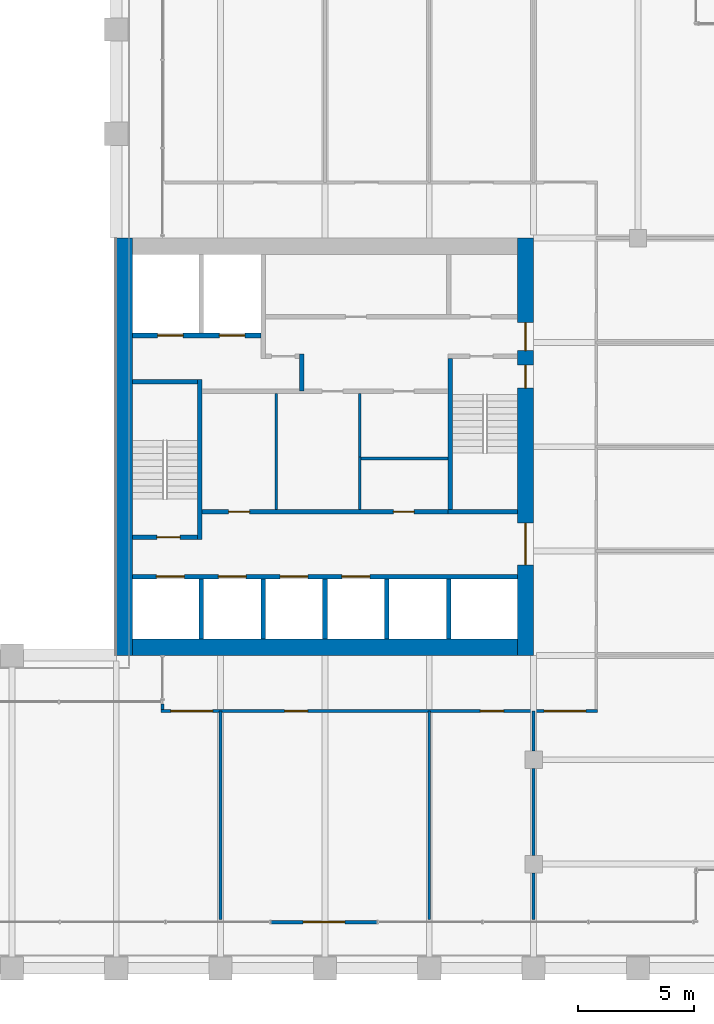
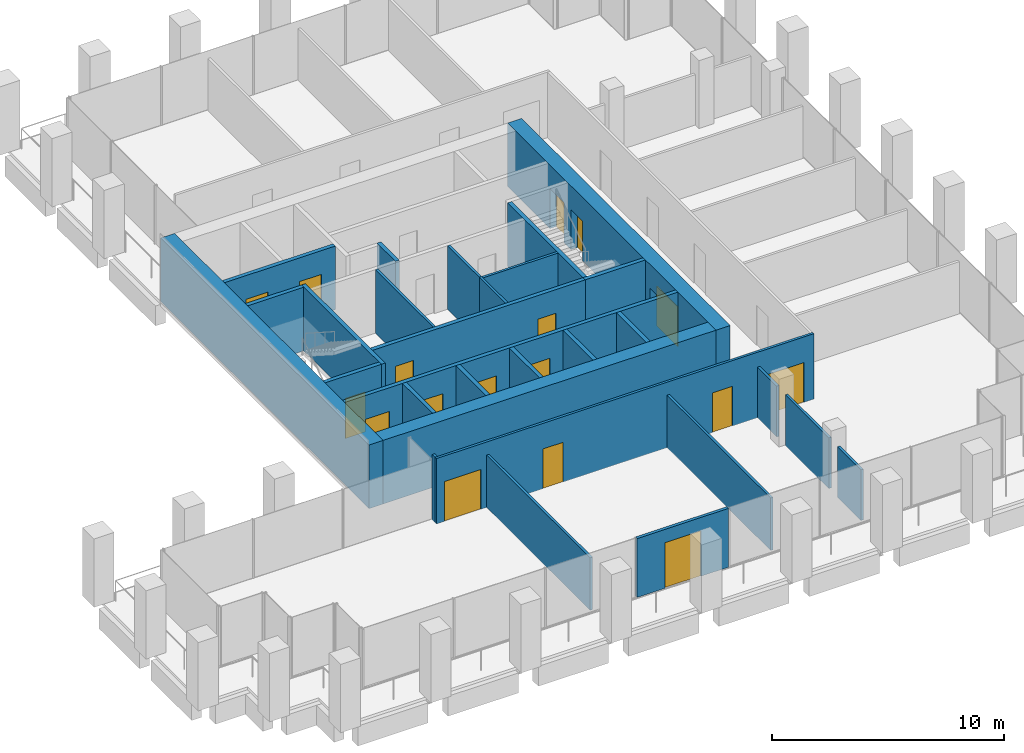
# One storey, part 41 of 47: 29 walls, 17 doors, 17 openings.
"""IFC4 building model written with IfcOpenShell, lengths in metres."""

from ifc_helpers import new_model, si_unit, direction, frame, frame_2d, origin, place, context, subcontext, project, spatial, rectangle, extrude, material, layer, layer_set, type_object, element, fill, save


model = new_model("IFC4")

# Units and contexts
model_context = context("Model", 3, precision=1e-05, world=origin(), true_north=direction((0.0, 1.0)))
body_context = subcontext(model_context, "Body", "Model", "MODEL_VIEW")
ifc_project = project(units=[si_unit("LENGTHUNIT", "METRE"), si_unit("AREAUNIT", "SQUARE_METRE"), si_unit("VOLUMEUNIT", "CUBIC_METRE"), si_unit("PLANEANGLEUNIT", "RADIAN"), si_unit("MASSUNIT", "GRAM", prefix="KILO")], contexts=[model_context])

# Site, building, storey
site_placement = place(None, origin())
site = spatial("IfcSite", under=ifc_project, at=site_placement, CompositionType="ELEMENT")
building_placement = place(site_placement, origin())
building = spatial("IfcBuilding", under=site, at=building_placement, Name="Altepetl Exchange Towers", CompositionType="ELEMENT")
storey_placement = place(building_placement, frame((0.0, 0.0, 99.199951171875)))
storey = spatial("IfcBuildingStorey", under=building, at=storey_placement, Name="L24", CompositionType="ELEMENT", Elevation=99.199951171875)

# Wall, openings, doors
ifc_material_1 = material(Name="Concrete C70/85", Category="concrete")
ifc_layer_1 = layer(ifc_material_1, 0.699951171875)
ifc_layer_set_1 = layer_set([ifc_layer_1], Name="Concrete C70/85")
wall_type_1 = type_object("IfcWallType", Name="Core wall 700 reinforced concrete", PredefinedType="SHEAR", material=ifc_layer_set_1)
wall_1_placement = place(storey_placement, frame((58.14990234375, 40.5, 0.0), z_axis=(0.0, 0.0, 1.0), x_axis=(0.0, 1.0, 0.0)))
wall_1 = element("IfcWall", 1, at=wall_1_placement, inside=storey, type_object=wall_type_1, Name="wall:A:L24:K-coreE", PredefinedType="SHEAR", context=body_context, shape_type="SweptSolid", body=[
    extrude(rectangle(XDim=18.0, YDim=0.699951171875, at=frame_2d((9.0, 0.0))), origin(), (0.0, 0.0, 1.0), 3.35009765625),
])
opening_1_placement = place(wall_1_placement, frame((13.14990234375, 0.0, 0.0)))
opening_1 = element("IfcOpeningElement", 2, at=opening_1_placement, cuts=wall_1, Name="Opening L24.A60", PredefinedType="OPENING", context=body_context, shape_type="SweptSolid", body=[
    extrude(rectangle(XDim=1.199951171875, YDim=2.10009765625, at=frame_2d((0.60009765625, 1.050048828125))), frame((0.0, 0.35986328125, 0.0), z_axis=(0.0, -1.0, 0.0), x_axis=(1.0, 0.0, 0.0)), (0.0, 0.0, 1.0), 0.719970703125),
])
opening_2_placement = place(wall_1_placement, frame((3.89990234375, 0.0, 0.0)))
opening_2 = element("IfcOpeningElement", 3, at=opening_2_placement, cuts=wall_1, Name="Opening L24.A61", PredefinedType="OPENING", context=body_context, shape_type="SweptSolid", body=[
    extrude(rectangle(XDim=1.800048828125, YDim=2.10009765625, at=frame_2d((0.89990234375, 1.050048828125))), frame((0.0, 0.35986328125, 0.0), z_axis=(0.0, -1.0, 0.0), x_axis=(1.0, 0.0, 0.0)), (0.0, 0.0, 1.0), 0.719970703125),
])
opening_3_placement = place(wall_1_placement, frame((11.52490234375, 0.0, 0.0)))
opening_3 = element("IfcOpeningElement", 4, at=opening_3_placement, cuts=wall_1, Name="Opening L24.A64", PredefinedType="OPENING", context=body_context, shape_type="SweptSolid", body=[
    extrude(rectangle(XDim=1.0, YDim=2.10009765625, at=frame_2d((0.5, 1.050048828125))), frame((0.0, 0.35986328125, 0.0), z_axis=(0.0, -1.0, 0.0), x_axis=(1.0, 0.0, 0.0)), (0.0, 0.0, 1.0), 0.719970703125),
])
ifc_material_2 = material(Name="Steel and timber fire door", Category="steel")
door_type_1 = type_object("IfcDoorType", Name="Fire door 1000 x 2100 stair and lobby", OperationType="SINGLE_SWING_LEFT", PredefinedType="DOOR", material=ifc_material_2)
door_1_placement = place(opening_3_placement, origin())
door_1 = element("IfcDoor", 5, at=door_1_placement, inside=storey, type_object=door_type_1, Name="door:A:L24:K-dS2x", OperationType="SINGLE_SWING_RIGHT", OverallHeight=2.10009765625, OverallWidth=1.0, PredefinedType="DOOR", context=body_context, shape_type="SweptSolid", body=[
    extrude(rectangle(XDim=1.0, YDim=2.10009765625, at=frame_2d((0.5, 1.050048828125))), frame((0.0, 0.02490234375, 0.0), z_axis=(0.0, -1.0, 0.0), x_axis=(1.0, 0.0, 0.0)), (0.0, 0.0, 1.0), 0.050048828125),
])
fill(opening_3, door_1)
door_type_2 = type_object("IfcDoorType", Name="Fire door 1200 x 2100 lobby entry", OperationType="SINGLE_SWING_LEFT", PredefinedType="DOOR", material=ifc_material_2)
door_2_placement = place(opening_1_placement, origin())
door_2 = element("IfcDoor", 6, at=door_2_placement, inside=storey, type_object=door_type_2, Name="door:A:L24:K-dLNE", OperationType="SINGLE_SWING_RIGHT", OverallHeight=2.10009765625, OverallWidth=1.199951171875, PredefinedType="DOOR", context=body_context, shape_type="SweptSolid", body=[
    extrude(rectangle(XDim=1.199951171875, YDim=2.10009765625, at=frame_2d((0.60009765625, 1.050048828125))), frame((0.0, 0.02490234375, 0.0), z_axis=(0.0, -1.0, 0.0), x_axis=(1.0, 0.0, 0.0)), (0.0, 0.0, 1.0), 0.050048828125),
])
fill(opening_1, door_2)
door_type_3 = type_object("IfcDoorType", Name="Fire door 1800 x 2100 lobby entry", OperationType="DOUBLE_DOOR_SINGLE_SWING", PredefinedType="DOOR", material=ifc_material_2)
door_3_placement = place(opening_2_placement, origin())
door_3 = element("IfcDoor", 7, at=door_3_placement, inside=storey, type_object=door_type_3, Name="door:A:L24:K-dLSE", OperationType="DOUBLE_DOOR_SINGLE_SWING", OverallHeight=2.10009765625, OverallWidth=1.800048828125, PredefinedType="DOOR", context=body_context, shape_type="SweptSolid", body=[
    extrude(rectangle(XDim=1.800048828125, YDim=2.10009765625, at=frame_2d((0.89990234375, 1.050048828125))), frame((0.0, 0.02490234375, 0.0), z_axis=(0.0, -1.0, 0.0), x_axis=(1.0, 0.0, 0.0)), (0.0, 0.0, 1.0), 0.050048828125),
])
fill(opening_2, door_3)

# Walls
wall_2_placement = place(storey_placement, frame((41.199951171875, 40.85009765625, 0.0)))
element("IfcWall", 8, at=wall_2_placement, inside=storey, type_object=wall_type_1, Name="wall:A:L24:K-coreS", PredefinedType="SHEAR", context=body_context, shape_type="SweptSolid", body=[
    extrude(rectangle(XDim=16.60009765625, YDim=0.699951171875, at=frame_2d((8.300048828125, 0.0))), origin(), (0.0, 0.0, 1.0), 3.35009765625),
])
ifc_layer_2 = layer(ifc_material_1, 0.699951171875)
ifc_layer_set_2 = layer_set([ifc_layer_2], Name="Concrete C70/85")
wall_type_2 = type_object("IfcWallType", Name="Core wall 700 reinforced concrete external", PredefinedType="SHEAR", material=ifc_layer_set_2)
wall_3_placement = place(storey_placement, frame((40.85009765625, 40.5, 0.0), z_axis=(0.0, 0.0, 1.0), x_axis=(0.0, 1.0, 0.0)))
element("IfcWall", 9, at=wall_3_placement, inside=storey, type_object=wall_type_2, Name="wall:A:L24:K-coreW", PredefinedType="SHEAR", context=body_context, shape_type="SweptSolid", body=[
    extrude(rectangle(XDim=18.0, YDim=0.699951171875, at=frame_2d((9.0, 0.0))), origin(), (0.0, 0.0, 1.0), 3.35009765625),
])

# Wall, opening, door
ifc_material_3 = material(Name="Aluminium composite cladding", Category="aluminium")
ifc_layer_3 = layer(ifc_material_3, 0.14990234375)
ifc_layer_set_3 = layer_set([ifc_layer_3], Name="Aluminium composite cladding")
wall_type_3 = type_object("IfcWallType", Name="Infill wall 150 aluminium panel", PredefinedType="SOLIDWALL", material=ifc_layer_set_3)
wall_4_placement = place(storey_placement, frame((47.18212890625, 29.0, 0.0)))
wall_4 = element("IfcWall", 10, at=wall_4_placement, inside=storey, type_object=wall_type_3, Name="Loggia door bay wall", PredefinedType="SOLIDWALL", context=body_context, shape_type="SweptSolid", body=[
    extrude(rectangle(XDim=4.560791015625, YDim=0.14990234375, at=frame_2d((2.2802734375, 0.0))), origin(), (0.0, 0.0, 1.0), 3.10009765625),
])
opening_4_placement = place(wall_4_placement, frame((1.38037109375, 0.0, 0.0)))
opening_4 = element("IfcOpeningElement", 11, at=opening_4_placement, cuts=wall_4, Name="Opening L24.A90", PredefinedType="OPENING", context=body_context, shape_type="SweptSolid", body=[
    extrude(rectangle(XDim=1.800048828125, YDim=2.39990234375, at=frame_2d((0.89990234375, 1.199951171875))), frame((0.0, 0.0849609375, 0.0), z_axis=(0.0, -1.0, 0.0), x_axis=(1.0, 0.0, 0.0)), (0.0, 0.0, 1.0), 0.169921875),
])
ifc_material_4 = material(Name="Aluminium 6063-T6 and glass", Category="aluminium")
door_type_4 = type_object("IfcDoorType", Name="Glazed door pair 1800x2400", OperationType="DOUBLE_DOOR_DOUBLE_SWING", PredefinedType="NOTDEFINED", material=ifc_material_4)
door_4_placement = place(opening_4_placement, frame((1.800048828125, 0.0, 0.0), x_axis=(-1.0, 0.0, 0.0)))
door_4 = element("IfcDoor", 12, at=door_4_placement, inside=storey, type_object=door_type_4, Name="Loggia door", OperationType="DOUBLE_DOOR_DOUBLE_SWING", OverallHeight=2.39990234375, OverallWidth=1.800048828125, PredefinedType="NOTDEFINED", context=body_context, shape_type="SweptSolid", body=[
    extrude(rectangle(XDim=1.800048828125, YDim=2.39990234375, at=frame_2d((0.89990234375, 1.199951171875))), frame((0.0, 0.02490234375, 0.0), z_axis=(0.0, -1.0, 0.0), x_axis=(1.0, 0.0, 0.0)), (0.0, 0.0, 1.0), 0.050048828125),
])
fill(opening_4, door_4)

# Wall
ifc_material_5 = material(Name="Concrete blockwork", Category="masonry")
ifc_layer_4 = layer(ifc_material_5, 0.199951171875)
ifc_layer_set_4 = layer_set([ifc_layer_4], Name="Concrete blockwork")
wall_type_4 = type_object("IfcWallType", Name="Lobby wall 200 blockwork", PredefinedType="PARTITIONING", material=ifc_layer_set_4)
wall_5_placement = place(storey_placement, frame((48.5, 51.89990234375, 0.0), z_axis=(0.0, 0.0, 1.0), x_axis=(0.0, 1.0, 0.0)))
element("IfcWall", 13, at=wall_5_placement, inside=storey, type_object=wall_type_4, Name="wall:A:L24:K-ffE", PredefinedType="PARTITIONING", context=body_context, shape_type="SweptSolid", body=[
    extrude(rectangle(XDim=1.60009765625, YDim=0.199951171875, at=frame_2d((0.800048828125, 0.0))), origin(), (0.0, 0.0, 1.0), 3.35009765625),
])

# Wall, openings, doors
wall_6_placement = place(storey_placement, frame((44.199951171875, 46.699951171875, 0.0)))
wall_6 = element("IfcWall", 14, at=wall_6_placement, inside=storey, type_object=wall_type_4, Name="wall:A:L24:K-zoneS", PredefinedType="PARTITIONING", context=body_context, shape_type="SweptSolid", body=[
    extrude(rectangle(XDim=10.60009765625, YDim=0.199951171875, at=frame_2d((5.300048828125, 0.0))), origin(), (0.0, 0.0, 1.0), 3.35009765625),
])
opening_5_placement = place(wall_6_placement, frame((1.14990234375, 0.0, 0.0)))
opening_5 = element("IfcOpeningElement", 15, at=opening_5_placement, cuts=wall_6, Name="Opening L24.A68", PredefinedType="OPENING", context=body_context, shape_type="SweptSolid", body=[
    extrude(rectangle(XDim=0.89990234375, YDim=2.10009765625, at=frame_2d((0.449951171875, 1.050048828125))), frame((0.0, 0.10986328125, 0.0), z_axis=(0.0, -1.0, 0.0), x_axis=(1.0, 0.0, 0.0)), (0.0, 0.0, 1.0), 0.219970703125),
])
opening_6_placement = place(wall_6_placement, frame((8.25, 0.0, 0.0)))
opening_6 = element("IfcOpeningElement", 16, at=opening_6_placement, cuts=wall_6, Name="Opening L24.A70", PredefinedType="OPENING", context=body_context, shape_type="SweptSolid", body=[
    extrude(rectangle(XDim=0.89990234375, YDim=2.10009765625, at=frame_2d((0.449951171875, 1.050048828125))), frame((0.0, 0.10986328125, 0.0), z_axis=(0.0, -1.0, 0.0), x_axis=(1.0, 0.0, 0.0)), (0.0, 0.0, 1.0), 0.219970703125),
])
door_type_5 = type_object("IfcDoorType", Name="Fire door 900 x 2100 service room", OperationType="SINGLE_SWING_LEFT", PredefinedType="DOOR", material=ifc_material_2)
door_5_placement = place(opening_5_placement, origin())
door_5 = element("IfcDoor", 17, at=door_5_placement, inside=storey, type_object=door_type_5, Name="door:A:L24:K-dz1", OperationType="SINGLE_SWING_RIGHT", OverallHeight=2.10009765625, OverallWidth=0.89990234375, PredefinedType="DOOR", context=body_context, shape_type="SweptSolid", body=[
    extrude(rectangle(XDim=0.89990234375, YDim=2.10009765625, at=frame_2d((0.449951171875, 1.050048828125))), frame((0.0, 0.02490234375, 0.0), z_axis=(0.0, -1.0, 0.0), x_axis=(1.0, 0.0, 0.0)), (0.0, 0.0, 1.0), 0.050048828125),
])
fill(opening_5, door_5)
door_6_placement = place(opening_6_placement, origin())
door_6 = element("IfcDoor", 18, at=door_6_placement, inside=storey, type_object=door_type_5, Name="door:A:L24:K-dz3", OperationType="SINGLE_SWING_RIGHT", OverallHeight=2.10009765625, OverallWidth=0.89990234375, PredefinedType="DOOR", context=body_context, shape_type="SweptSolid", body=[
    extrude(rectangle(XDim=0.89990234375, YDim=2.10009765625, at=frame_2d((0.449951171875, 1.050048828125))), frame((0.0, 0.02490234375, 0.0), z_axis=(0.0, -1.0, 0.0), x_axis=(1.0, 0.0, 0.0)), (0.0, 0.0, 1.0), 0.050048828125),
])
fill(opening_6, door_6)

# Walls
ifc_material_6 = material(Name="Gypsum board on steel studs", Category="steel")
ifc_layer_5 = layer(ifc_material_6, 0.125)
ifc_layer_set_5 = layer_set([ifc_layer_5], Name="Gypsum board on steel studs")
wall_type_5 = type_object("IfcWallType", Name="Partition 125 gypsum board on steel studs", PredefinedType="PARTITIONING", material=ifc_layer_set_5)
wall_7_placement = place(storey_placement, frame((47.39990234375, 46.800048828125, 0.0), z_axis=(0.0, 0.0, 1.0), x_axis=(0.0, 1.0, 0.0)))
element("IfcWall", 19, at=wall_7_placement, inside=storey, type_object=wall_type_5, Name="wall:A:L24:K-zp1", PredefinedType="PARTITIONING", context=body_context, shape_type="SweptSolid", body=[
    extrude(rectangle(XDim=5.0, YDim=0.125, at=frame_2d((2.5, 0.0))), origin(), (0.0, 0.0, 1.0), 3.35009765625),
])
wall_8_placement = place(storey_placement, frame((51.0, 46.800048828125, 0.0), z_axis=(0.0, 0.0, 1.0), x_axis=(0.0, 1.0, 0.0)))
element("IfcWall", 20, at=wall_8_placement, inside=storey, type_object=wall_type_5, Name="wall:A:L24:K-zp2", PredefinedType="PARTITIONING", context=body_context, shape_type="SweptSolid", body=[
    extrude(rectangle(XDim=2.262451171875, YDim=0.125, at=frame_2d((1.13134765625, 0.0))), origin(), (0.0, 0.0, 1.0), 3.35009765625),
])
wall_9_placement = place(storey_placement, frame((54.800048828125, 49.0, 0.0), z_axis=(0.0, 0.0, 1.0), x_axis=(-1.0, 0.0, 0.0)))
element("IfcWall", 21, at=wall_9_placement, inside=storey, type_object=wall_type_5, Name="wall:A:L24:K-zp3", PredefinedType="PARTITIONING", context=body_context, shape_type="SweptSolid", body=[
    extrude(rectangle(XDim=3.737548828125, YDim=0.125, at=frame_2d((1.86865234375, 0.0))), origin(), (0.0, 0.0, 1.0), 3.35009765625),
])
wall_10_placement = place(storey_placement, frame((51.0, 49.0, 0.0), z_axis=(0.0, 0.0, 1.0), x_axis=(0.0, 1.0, 0.0)))
element("IfcWall", 22, at=wall_10_placement, inside=storey, type_object=wall_type_5, Name="wall:A:L24:K-zp4", PredefinedType="PARTITIONING", context=body_context, shape_type="SweptSolid", body=[
    extrude(rectangle(XDim=2.800048828125, YDim=0.125, at=frame_2d((1.39990234375, 0.0))), origin(), (0.0, 0.0, 1.0), 3.35009765625),
])

# Wall, openings, doors
wall_11_placement = place(storey_placement, frame((42.4375, 38.10009765625, 0.0)))
wall_11 = element("IfcWall", 23, at=wall_11_placement, inside=storey, type_object=wall_type_5, Name="wall:A:L24:P01", PredefinedType="PARTITIONING", context=body_context, shape_type="SweptSolid", body=[
    extrude(rectangle(XDim=18.824951171875, YDim=0.125, at=frame_2d((9.41259765625, 0.0))), origin(), (0.0, 0.0, 1.0), 3.449951171875),
])
opening_7_placement = place(wall_11_placement, frame((0.41259765625, 0.0, 0.0)))
opening_7 = element("IfcOpeningElement", 24, at=opening_7_placement, cuts=wall_11, Name="Opening L24.A01", PredefinedType="OPENING", context=body_context, shape_type="SweptSolid", body=[
    extrude(rectangle(XDim=1.800048828125, YDim=2.10009765625, at=frame_2d((0.89990234375, 1.050048828125))), frame((0.0, 0.072509765625, 0.0), z_axis=(0.0, -1.0, 0.0), x_axis=(1.0, 0.0, 0.0)), (0.0, 0.0, 1.0), 0.14501953125),
])
opening_8_placement = place(wall_11_placement, frame((5.320556640625, 0.0, 0.0)))
opening_8 = element("IfcOpeningElement", 25, at=opening_8_placement, cuts=wall_11, Name="Opening L24.A02", PredefinedType="OPENING", context=body_context, shape_type="SweptSolid", body=[
    extrude(rectangle(XDim=1.0, YDim=2.10009765625, at=frame_2d((0.5, 1.050048828125))), frame((0.0, 0.072509765625, 0.0), z_axis=(0.0, -1.0, 0.0), x_axis=(1.0, 0.0, 0.0)), (0.0, 0.0, 1.0), 0.14501953125),
])
opening_9_placement = place(wall_11_placement, frame((13.767578125, 0.0, 0.0)))
opening_9 = element("IfcOpeningElement", 26, at=opening_9_placement, cuts=wall_11, Name="Opening L24.A03", PredefinedType="OPENING", context=body_context, shape_type="SweptSolid", body=[
    extrude(rectangle(XDim=1.0, YDim=2.10009765625, at=frame_2d((0.5, 1.050048828125))), frame((0.0, 0.072509765625, 0.0), z_axis=(0.0, -1.0, 0.0), x_axis=(1.0, 0.0, 0.0)), (0.0, 0.0, 1.0), 0.14501953125),
])
opening_10_placement = place(wall_11_placement, frame((16.512451171875, 0.0, 0.0)))
opening_10 = element("IfcOpeningElement", 27, at=opening_10_placement, cuts=wall_11, Name="Opening L24.A04", PredefinedType="OPENING", context=body_context, shape_type="SweptSolid", body=[
    extrude(rectangle(XDim=1.800048828125, YDim=2.10009765625, at=frame_2d((0.89990234375, 1.050048828125))), frame((0.0, 0.072509765625, 0.0), z_axis=(0.0, -1.0, 0.0), x_axis=(1.0, 0.0, 0.0)), (0.0, 0.0, 1.0), 0.14501953125),
])
door_type_6 = type_object("IfcDoorType", Name="Fire door 1000 x 2100 single leaf", OperationType="SINGLE_SWING_LEFT", PredefinedType="DOOR", material=ifc_material_2)
door_7_placement = place(opening_8_placement, frame((1.0, 0.0, 0.0), x_axis=(-1.0, 0.0, 0.0)))
door_7 = element("IfcDoor", 28, at=door_7_placement, inside=storey, type_object=door_type_6, Name="door:A:L24:02", OperationType="SINGLE_SWING_RIGHT", OverallHeight=2.10009765625, OverallWidth=1.0, PredefinedType="DOOR", context=body_context, shape_type="SweptSolid", body=[
    extrude(rectangle(XDim=1.0, YDim=2.10009765625, at=frame_2d((0.5, 1.050048828125))), frame((0.0, 0.02490234375, 0.0), z_axis=(0.0, -1.0, 0.0), x_axis=(1.0, 0.0, 0.0)), (0.0, 0.0, 1.0), 0.050048828125),
])
fill(opening_8, door_7)
door_8_placement = place(opening_9_placement, frame((1.0, 0.0, 0.0), x_axis=(-1.0, 0.0, 0.0)))
door_8 = element("IfcDoor", 29, at=door_8_placement, inside=storey, type_object=door_type_6, Name="door:A:L24:03", OperationType="SINGLE_SWING_LEFT", OverallHeight=2.10009765625, OverallWidth=1.0, PredefinedType="DOOR", context=body_context, shape_type="SweptSolid", body=[
    extrude(rectangle(XDim=1.0, YDim=2.10009765625, at=frame_2d((0.5, 1.050048828125))), frame((0.0, 0.02490234375, 0.0), z_axis=(0.0, -1.0, 0.0), x_axis=(1.0, 0.0, 0.0)), (0.0, 0.0, 1.0), 0.050048828125),
])
fill(opening_9, door_8)
door_type_7 = type_object("IfcDoorType", Name="Fire door 1800 x 2100 double leaf", OperationType="DOUBLE_DOOR_SINGLE_SWING", PredefinedType="DOOR", material=ifc_material_2)
door_9_placement = place(opening_7_placement, frame((1.800048828125, 0.0, 0.0), x_axis=(-1.0, 0.0, 0.0)))
door_9 = element("IfcDoor", 30, at=door_9_placement, inside=storey, type_object=door_type_7, Name="door:A:L24:01", OperationType="DOUBLE_DOOR_SINGLE_SWING", OverallHeight=2.10009765625, OverallWidth=1.800048828125, PredefinedType="DOOR", context=body_context, shape_type="SweptSolid", body=[
    extrude(rectangle(XDim=1.800048828125, YDim=2.10009765625, at=frame_2d((0.89990234375, 1.050048828125))), frame((0.0, 0.02490234375, 0.0), z_axis=(0.0, -1.0, 0.0), x_axis=(1.0, 0.0, 0.0)), (0.0, 0.0, 1.0), 0.050048828125),
])
fill(opening_7, door_9)
door_10_placement = place(opening_10_placement, frame((1.800048828125, 0.0, 0.0), x_axis=(-1.0, 0.0, 0.0)))
door_10 = element("IfcDoor", 31, at=door_10_placement, inside=storey, type_object=door_type_7, Name="door:A:L24:04", OperationType="DOUBLE_DOOR_SINGLE_SWING", OverallHeight=2.10009765625, OverallWidth=1.800048828125, PredefinedType="DOOR", context=body_context, shape_type="SweptSolid", body=[
    extrude(rectangle(XDim=1.800048828125, YDim=2.10009765625, at=frame_2d((0.89990234375, 1.050048828125))), frame((0.0, 0.02490234375, 0.0), z_axis=(0.0, -1.0, 0.0), x_axis=(1.0, 0.0, 0.0)), (0.0, 0.0, 1.0), 0.050048828125),
])
fill(opening_10, door_10)

# Walls
wall_12_placement = place(storey_placement, frame((42.5, 38.16259765625, 0.0), z_axis=(0.0, 0.0, 1.0), x_axis=(0.0, 1.0, 0.0)))
element("IfcWall", 32, at=wall_12_placement, inside=storey, type_object=wall_type_5, Name="wall:A:L24:P10", PredefinedType="PARTITIONING", context=body_context, shape_type="SweptSolid", body=[
    extrude(rectangle(XDim=0.2373046875, YDim=0.125, at=frame_2d((0.11865234375, 0.0))), origin(), (0.0, 0.0, 1.0), 3.449951171875),
])
for number, where, z_axis, x_axis, name in (
    (33, (45.0, 29.10009765625, 0.0), (0.0, 0.0, 1.0), (0.0, 1.0, 0.0), "wall:A:L24:P11"),
    (34, (54.0, 29.10009765625, 0.0), (0.0, 0.0, 1.0), (0.0, 1.0, 0.0), "wall:A:L24:P13"),
):
    element("IfcWall", number, at=place(storey_placement, frame(where, z_axis=z_axis, x_axis=x_axis)), inside=storey, type_object=wall_type_5, Name=name, PredefinedType="PARTITIONING", context=body_context, shape_type="SweptSolid", body=[
        extrude(rectangle(XDim=9.0, YDim=0.125, at=frame_2d((4.5, 0.0))), origin(), (0.0, 0.0, 1.0), 2.76611328125),
    ])
wall_13_placement = place(storey_placement, frame((58.5, 29.10009765625, 0.0), z_axis=(0.0, 0.0, 1.0), x_axis=(0.0, 1.0, 0.0)))
element("IfcWall", 35, at=wall_13_placement, inside=storey, type_object=wall_type_5, Name="wall:A:L24:P15", PredefinedType="PARTITIONING", context=body_context, shape_type="SweptSolid", body=[
    extrude(rectangle(XDim=2.02490234375, YDim=0.125, at=frame_2d((1.012451171875, 0.0))), origin(), (0.0, 0.0, 1.0), 2.676025390625),
])
wall_14_placement = place(storey_placement, frame((58.5, 31.875, 0.0), z_axis=(0.0, 0.0, 1.0), x_axis=(0.0, 1.0, 0.0)))
element("IfcWall", 36, at=wall_14_placement, inside=storey, type_object=wall_type_5, Name="wall:A:L24:P16", PredefinedType="PARTITIONING", context=body_context, shape_type="SweptSolid", body=[
    extrude(rectangle(XDim=3.75, YDim=0.125, at=frame_2d((1.875, 0.0))), origin(), (0.0, 0.0, 1.0), 2.676025390625),
])
wall_15_placement = place(storey_placement, frame((58.5, 36.375, 0.0), z_axis=(0.0, 0.0, 1.0), x_axis=(0.0, 1.0, 0.0)))
element("IfcWall", 37, at=wall_15_placement, inside=storey, type_object=wall_type_5, Name="wall:A:L24:P17", PredefinedType="PARTITIONING", context=body_context, shape_type="SweptSolid", body=[
    extrude(rectangle(XDim=1.72509765625, YDim=0.125, at=frame_2d((0.862548828125, 0.0))), origin(), (0.0, 0.0, 1.0), 2.676025390625),
])
ifc_material_7 = material(Name="Concrete C40/50", Category="concrete")
ifc_layer_6 = layer(ifc_material_7, 0.199951171875)
ifc_layer_set_6 = layer_set([ifc_layer_6], Name="Concrete C40/50")
wall_type_6 = type_object("IfcWallType", Name="Shaft wall 200 reinforced concrete", PredefinedType="SHEAR", material=ifc_layer_set_6)
for number, where, z_axis, x_axis, name in (
    (38, (44.166748046875, 41.199951171875, 0.0), (0.0, 0.0, 1.0), (0.0, 1.0, 0.0), "wall:A:L24:K-divS1"),
    (39, (46.833251953125, 41.199951171875, 0.0), (0.0, 0.0, 1.0), (0.0, 1.0, 0.0), "wall:A:L24:K-divS2"),
    (40, (49.5, 41.199951171875, 0.0), (0.0, 0.0, 1.0), (0.0, 1.0, 0.0), "wall:A:L24:K-divS3"),
    (41, (52.166748046875, 41.199951171875, 0.0), (0.0, 0.0, 1.0), (0.0, 1.0, 0.0), "wall:A:L24:K-divS4"),
    (42, (54.833251953125, 41.199951171875, 0.0), (0.0, 0.0, 1.0), (0.0, 1.0, 0.0), "wall:A:L24:K-divS5"),
):
    element("IfcWall", number, at=place(storey_placement, frame(where, z_axis=z_axis, x_axis=x_axis)), inside=storey, type_object=wall_type_6, Name=name, PredefinedType="SHEAR", context=body_context, shape_type="SweptSolid", body=[
        extrude(rectangle(XDim=2.60009765625, YDim=0.199951171875, at=frame_2d((1.300048828125, 0.0))), origin(), (0.0, 0.0, 1.0), 3.35009765625),
    ])

# Wall, openings, doors
wall_16_placement = place(storey_placement, frame((41.199951171875, 54.300048828125, 0.0)))
wall_16 = element("IfcWall", 43, at=wall_16_placement, inside=storey, type_object=wall_type_6, Name="wall:A:L24:K-frontNd", PredefinedType="SHEAR", context=body_context, shape_type="SweptSolid", body=[
    extrude(rectangle(XDim=5.533447265625, YDim=0.199951171875, at=frame_2d((2.7666015625, 0.0))), origin(), (0.0, 0.0, 1.0), 3.35009765625),
])
opening_11_placement = place(wall_16_placement, frame((1.083251953125, 0.0, 0.0)))
opening_11 = element("IfcOpeningElement", 44, at=opening_11_placement, cuts=wall_16, Name="Opening L24.A72", PredefinedType="OPENING", context=body_context, shape_type="SweptSolid", body=[
    extrude(rectangle(XDim=1.10009765625, YDim=2.10009765625, at=frame_2d((0.550048828125, 1.050048828125))), frame((0.0, 0.10986328125, 0.0), z_axis=(0.0, -1.0, 0.0), x_axis=(1.0, 0.0, 0.0)), (0.0, 0.0, 1.0), 0.219970703125),
])
opening_12_placement = place(wall_16_placement, frame((3.75, 0.0, 0.0)))
opening_12 = element("IfcOpeningElement", 45, at=opening_12_placement, cuts=wall_16, Name="Opening L24.A73", PredefinedType="OPENING", context=body_context, shape_type="SweptSolid", body=[
    extrude(rectangle(XDim=1.10009765625, YDim=2.10009765625, at=frame_2d((0.550048828125, 1.050048828125))), frame((0.0, 0.10986328125, 0.0), z_axis=(0.0, -1.0, 0.0), x_axis=(1.0, 0.0, 0.0)), (0.0, 0.0, 1.0), 0.219970703125),
])
ifc_material_8 = material(Name="Stainless steel", Category="steel")
door_type_8 = type_object("IfcDoorType", Name="Lift landing door 1100 x 2100", OperationType="SLIDING_TO_LEFT", PredefinedType="DOOR", material=ifc_material_8)
door_11_placement = place(opening_11_placement, origin())
door_11 = element("IfcDoor", 46, at=door_11_placement, inside=storey, type_object=door_type_8, Name="Landing door FFL1", OperationType="SLIDING_TO_LEFT", OverallHeight=2.10009765625, OverallWidth=1.10009765625, PredefinedType="DOOR", context=body_context, shape_type="SweptSolid", body=[
    extrude(rectangle(XDim=1.10009765625, YDim=2.10009765625, at=frame_2d((0.550048828125, 1.050048828125))), frame((0.0, 0.02490234375, 0.0), z_axis=(0.0, -1.0, 0.0), x_axis=(1.0, 0.0, 0.0)), (0.0, 0.0, 1.0), 0.050048828125),
])
fill(opening_11, door_11)
door_12_placement = place(opening_12_placement, origin())
door_12 = element("IfcDoor", 47, at=door_12_placement, inside=storey, type_object=door_type_8, Name="Landing door FFL2", OperationType="SLIDING_TO_LEFT", OverallHeight=2.10009765625, OverallWidth=1.10009765625, PredefinedType="DOOR", context=body_context, shape_type="SweptSolid", body=[
    extrude(rectangle(XDim=1.10009765625, YDim=2.10009765625, at=frame_2d((0.550048828125, 1.050048828125))), frame((0.0, 0.02490234375, 0.0), z_axis=(0.0, -1.0, 0.0), x_axis=(1.0, 0.0, 0.0)), (0.0, 0.0, 1.0), 0.050048828125),
])
fill(opening_12, door_12)

wall_17_placement = place(storey_placement, frame((41.199951171875, 43.89990234375, 0.0)))
wall_17 = element("IfcWall", 48, at=wall_17_placement, inside=storey, type_object=wall_type_6, Name="wall:A:L24:K-frontS", PredefinedType="SHEAR", context=body_context, shape_type="SweptSolid", body=[
    extrude(rectangle(XDim=16.60009765625, YDim=0.199951171875, at=frame_2d((8.300048828125, 0.0))), origin(), (0.0, 0.0, 1.0), 3.35009765625),
])
opening_13_placement = place(wall_17_placement, frame((1.033203125, 0.0, 0.0)))
opening_13 = element("IfcOpeningElement", 49, at=opening_13_placement, cuts=wall_17, Name="Opening L24.A74", PredefinedType="OPENING", context=body_context, shape_type="SweptSolid", body=[
    extrude(rectangle(XDim=1.199951171875, YDim=2.10009765625, at=frame_2d((0.60009765625, 1.050048828125))), frame((0.0, 0.10986328125, 0.0), z_axis=(0.0, -1.0, 0.0), x_axis=(1.0, 0.0, 0.0)), (0.0, 0.0, 1.0), 0.219970703125),
])
opening_14_placement = place(wall_17_placement, frame((3.699951171875, 0.0, 0.0)))
opening_14 = element("IfcOpeningElement", 50, at=opening_14_placement, cuts=wall_17, Name="Opening L24.A75", PredefinedType="OPENING", context=body_context, shape_type="SweptSolid", body=[
    extrude(rectangle(XDim=1.199951171875, YDim=2.10009765625, at=frame_2d((0.60009765625, 1.050048828125))), frame((0.0, 0.10986328125, 0.0), z_axis=(0.0, -1.0, 0.0), x_axis=(1.0, 0.0, 0.0)), (0.0, 0.0, 1.0), 0.219970703125),
])
opening_15_placement = place(wall_17_placement, frame((6.36669921875, 0.0, 0.0)))
opening_15 = element("IfcOpeningElement", 51, at=opening_15_placement, cuts=wall_17, Name="Opening L24.A76", PredefinedType="OPENING", context=body_context, shape_type="SweptSolid", body=[
    extrude(rectangle(XDim=1.199951171875, YDim=2.10009765625, at=frame_2d((0.60009765625, 1.050048828125))), frame((0.0, 0.10986328125, 0.0), z_axis=(0.0, -1.0, 0.0), x_axis=(1.0, 0.0, 0.0)), (0.0, 0.0, 1.0), 0.219970703125),
])
opening_16_placement = place(wall_17_placement, frame((9.033203125, 0.0, 0.0)))
opening_16 = element("IfcOpeningElement", 52, at=opening_16_placement, cuts=wall_17, Name="Opening L24.A77", PredefinedType="OPENING", context=body_context, shape_type="SweptSolid", body=[
    extrude(rectangle(XDim=1.199951171875, YDim=2.10009765625, at=frame_2d((0.60009765625, 1.050048828125))), frame((0.0, 0.10986328125, 0.0), z_axis=(0.0, -1.0, 0.0), x_axis=(1.0, 0.0, 0.0)), (0.0, 0.0, 1.0), 0.219970703125),
])
door_type_9 = type_object("IfcDoorType", Name="Lift landing door 1200 x 2100", OperationType="SLIDING_TO_LEFT", PredefinedType="DOOR", material=ifc_material_8)
door_13_placement = place(opening_13_placement, origin())
door_13 = element("IfcDoor", 53, at=door_13_placement, inside=storey, type_object=door_type_9, Name="Landing door P1", OperationType="SLIDING_TO_LEFT", OverallHeight=2.10009765625, OverallWidth=1.199951171875, PredefinedType="DOOR", context=body_context, shape_type="SweptSolid", body=[
    extrude(rectangle(XDim=1.199951171875, YDim=2.10009765625, at=frame_2d((0.60009765625, 1.050048828125))), frame((0.0, 0.02490234375, 0.0), z_axis=(0.0, -1.0, 0.0), x_axis=(1.0, 0.0, 0.0)), (0.0, 0.0, 1.0), 0.050048828125),
])
fill(opening_13, door_13)
door_14_placement = place(opening_14_placement, origin())
door_14 = element("IfcDoor", 54, at=door_14_placement, inside=storey, type_object=door_type_9, Name="Landing door P2", OperationType="SLIDING_TO_LEFT", OverallHeight=2.10009765625, OverallWidth=1.199951171875, PredefinedType="DOOR", context=body_context, shape_type="SweptSolid", body=[
    extrude(rectangle(XDim=1.199951171875, YDim=2.10009765625, at=frame_2d((0.60009765625, 1.050048828125))), frame((0.0, 0.02490234375, 0.0), z_axis=(0.0, -1.0, 0.0), x_axis=(1.0, 0.0, 0.0)), (0.0, 0.0, 1.0), 0.050048828125),
])
fill(opening_14, door_14)
door_15_placement = place(opening_15_placement, origin())
door_15 = element("IfcDoor", 55, at=door_15_placement, inside=storey, type_object=door_type_9, Name="Landing door P3", OperationType="SLIDING_TO_LEFT", OverallHeight=2.10009765625, OverallWidth=1.199951171875, PredefinedType="DOOR", context=body_context, shape_type="SweptSolid", body=[
    extrude(rectangle(XDim=1.199951171875, YDim=2.10009765625, at=frame_2d((0.60009765625, 1.050048828125))), frame((0.0, 0.02490234375, 0.0), z_axis=(0.0, -1.0, 0.0), x_axis=(1.0, 0.0, 0.0)), (0.0, 0.0, 1.0), 0.050048828125),
])
fill(opening_15, door_15)
door_16_placement = place(opening_16_placement, origin())
door_16 = element("IfcDoor", 56, at=door_16_placement, inside=storey, type_object=door_type_9, Name="Landing door P4", OperationType="SLIDING_TO_LEFT", OverallHeight=2.10009765625, OverallWidth=1.199951171875, PredefinedType="DOOR", context=body_context, shape_type="SweptSolid", body=[
    extrude(rectangle(XDim=1.199951171875, YDim=2.10009765625, at=frame_2d((0.60009765625, 1.050048828125))), frame((0.0, 0.02490234375, 0.0), z_axis=(0.0, -1.0, 0.0), x_axis=(1.0, 0.0, 0.0)), (0.0, 0.0, 1.0), 0.050048828125),
])
fill(opening_16, door_16)

# Walls
ifc_layer_7 = layer(ifc_material_7, 0.199951171875)
ifc_layer_set_7 = layer_set([ifc_layer_7], Name="Concrete C40/50")
wall_type_7 = type_object("IfcWallType", Name="Stair wall 200 reinforced concrete", PredefinedType="SHEAR", material=ifc_layer_set_7)
wall_18_placement = place(storey_placement, frame((44.10009765625, 45.5, 0.0), z_axis=(0.0, 0.0, 1.0), x_axis=(0.0, 1.0, 0.0)))
element("IfcWall", 57, at=wall_18_placement, inside=storey, type_object=wall_type_7, Name="wall:A:L24:K-stS1E", PredefinedType="SHEAR", context=body_context, shape_type="SweptSolid", body=[
    extrude(rectangle(XDim=6.89990234375, YDim=0.199951171875, at=frame_2d((3.449951171875, 0.0))), origin(), (0.0, 0.0, 1.0), 3.35009765625),
])
wall_19_placement = place(storey_placement, frame((41.199951171875, 52.300048828125, 0.0)))
element("IfcWall", 58, at=wall_19_placement, inside=storey, type_object=wall_type_7, Name="wall:A:L24:K-stS1N", PredefinedType="SHEAR", context=body_context, shape_type="SweptSolid", body=[
    extrude(rectangle(XDim=2.800048828125, YDim=0.199951171875, at=frame_2d((1.39990234375, 0.0))), origin(), (0.0, 0.0, 1.0), 3.35009765625),
])

# Wall, opening, door
wall_20_placement = place(storey_placement, frame((41.199951171875, 45.60009765625, 0.0)))
wall_20 = element("IfcWall", 59, at=wall_20_placement, inside=storey, type_object=wall_type_7, Name="wall:A:L24:K-stS1S", PredefinedType="SHEAR", context=body_context, shape_type="SweptSolid", body=[
    extrude(rectangle(XDim=2.800048828125, YDim=0.199951171875, at=frame_2d((1.39990234375, 0.0))), origin(), (0.0, 0.0, 1.0), 3.35009765625),
])
opening_17_placement = place(wall_20_placement, frame((1.050048828125, 0.0, 0.0)))
opening_17 = element("IfcOpeningElement", 60, at=opening_17_placement, cuts=wall_20, Name="Opening L24.A62", PredefinedType="OPENING", context=body_context, shape_type="SweptSolid", body=[
    extrude(rectangle(XDim=1.0, YDim=2.10009765625, at=frame_2d((0.5, 1.050048828125))), frame((0.0, 0.10986328125, 0.0), z_axis=(0.0, -1.0, 0.0), x_axis=(1.0, 0.0, 0.0)), (0.0, 0.0, 1.0), 0.219970703125),
])
door_17_placement = place(opening_17_placement, origin())
door_17 = element("IfcDoor", 61, at=door_17_placement, inside=storey, type_object=door_type_1, Name="door:A:L24:K-dS1in", OperationType="SINGLE_SWING_RIGHT", OverallHeight=2.10009765625, OverallWidth=1.0, PredefinedType="DOOR", context=body_context, shape_type="SweptSolid", body=[
    extrude(rectangle(XDim=1.0, YDim=2.10009765625, at=frame_2d((0.5, 1.050048828125))), frame((0.0, 0.02490234375, 0.0), z_axis=(0.0, -1.0, 0.0), x_axis=(1.0, 0.0, 0.0)), (0.0, 0.0, 1.0), 0.050048828125),
])
fill(opening_17, door_17)

# Walls
wall_21_placement = place(storey_placement, frame((54.800048828125, 46.699951171875, 0.0)))
element("IfcWall", 62, at=wall_21_placement, inside=storey, type_object=wall_type_7, Name="wall:A:L24:K-stS2S", PredefinedType="SHEAR", context=body_context, shape_type="SweptSolid", body=[
    extrude(rectangle(XDim=3.0, YDim=0.199951171875, at=frame_2d((1.5, 0.0))), origin(), (0.0, 0.0, 1.0), 3.35009765625),
])
wall_22_placement = place(storey_placement, frame((54.89990234375, 46.800048828125, 0.0), z_axis=(0.0, 0.0, 1.0), x_axis=(0.0, 1.0, 0.0)))
element("IfcWall", 63, at=wall_22_placement, inside=storey, type_object=wall_type_7, Name="wall:A:L24:K-stS2W", PredefinedType="SHEAR", context=body_context, shape_type="SweptSolid", body=[
    extrude(rectangle(XDim=6.5, YDim=0.199951171875, at=frame_2d((3.25, 0.0))), origin(), (0.0, 0.0, 1.0), 3.35009765625),
])

save(model, "model.ifc")
